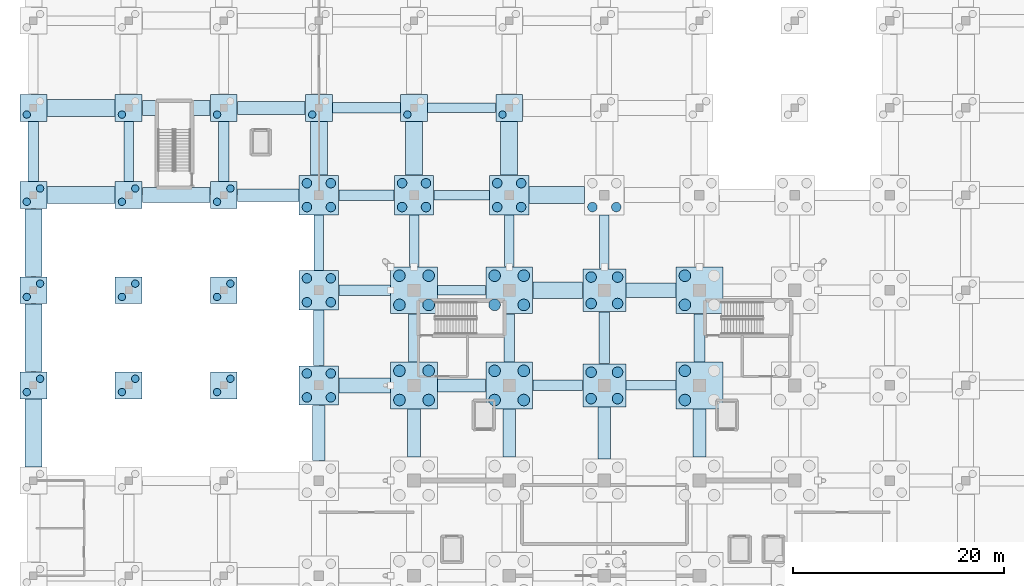
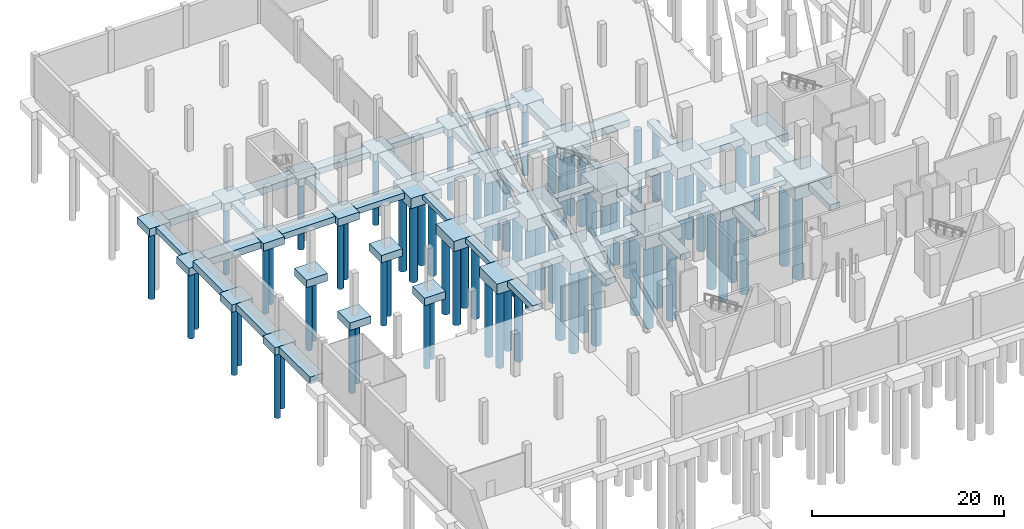
# One storey, part 5 of 42: 74 piles, 70 footings.
"""IFC4 building model written with IfcOpenShell, lengths in metres."""

from ifc_helpers import new_model, si_unit, direction, frame, origin, origin_2d, place, context, subcontext, project, spatial, rectangle, circle, extrude, material, material_profile, profile_set, type_object, element, save


model = new_model("IFC4")

# Units and contexts
model_context = context("Model", 3, precision=1e-05, world=origin(), true_north=direction((0.0, 1.0)))
body_context = subcontext(model_context, "Body", "Model", "MODEL_VIEW")
ifc_project = project(units=[si_unit("LENGTHUNIT", "METRE"), si_unit("AREAUNIT", "SQUARE_METRE"), si_unit("VOLUMEUNIT", "CUBIC_METRE"), si_unit("PLANEANGLEUNIT", "RADIAN"), si_unit("MASSUNIT", "GRAM", prefix="KILO")], contexts=[model_context])

# Site, building, storey
site_placement = place(None, origin())
site = spatial("IfcSite", under=ifc_project, at=site_placement, CompositionType="ELEMENT")
building_placement = place(site_placement, origin())
building = spatial("IfcBuilding", under=site, at=building_placement, Name="Sundgate Opera House", CompositionType="ELEMENT")
storey_placement = place(building_placement, frame((0.0, 0.0, -5.39990234375)))
storey = spatial("IfcBuildingStorey", under=building, at=storey_placement, Name="B01", CompositionType="ELEMENT", Elevation=-5.39990234375)

# Footings
ifc_material_1 = material(Name="Concrete C40/50", Category="concrete")
footing_type_1 = type_object("IfcFootingType", Name="FT-PC-2540x2540x950", PredefinedType="PILE_CAP", material=ifc_material_1)
for number, where, z_axis, x_axis, name in (
    (1, (0.0, 69.0, -0.9501953125), (0.0, 0.0, 1.0), (1.0, 0.0, 0.0), "Pile Cap F0009"),
    (2, (0.0, 78.0, -0.9501953125), (0.0, 0.0, 1.0), (1.0, 0.0, 0.0), "Pile Cap F0010"),
    (3, (0.0, 87.0, -1.75), (0.0, 0.0, 1.0), (1.0, 0.0, 0.0), "Pile Cap F0011"),
    (4, (0.0, 95.25, -1.75), (0.0, 0.0, 1.0), (1.0, 0.0, 0.0), "Pile Cap F0012"),
    (5, (9.0, 69.0, -0.9501953125), (0.0, 0.0, 1.0), (1.0, 0.0, 0.0), "Pile Cap F0024"),
    (6, (9.0, 78.0, -0.9501953125), (0.0, 0.0, 1.0), (1.0, 0.0, 0.0), "Pile Cap F0025"),
    (7, (9.0, 87.0, -1.75), (0.0, 0.0, 1.0), (1.0, 0.0, 0.0), "Pile Cap F0026"),
    (8, (9.0, 95.25, -1.75), (0.0, 0.0, 1.0), (1.0, 0.0, 0.0), "Pile Cap F0027"),
    (9, (18.0, 69.0, -0.9501953125), (0.0, 0.0, 1.0), (1.0, 0.0, 0.0), "Pile Cap F0038"),
    (10, (18.0, 78.0, -0.9501953125), (0.0, 0.0, 1.0), (1.0, 0.0, 0.0), "Pile Cap F0039"),
    (11, (18.0, 87.0, -1.75), (0.0, 0.0, 1.0), (1.0, 0.0, 0.0), "Pile Cap F0040"),
    (12, (18.0, 95.25, -1.75), (0.0, 0.0, 1.0), (1.0, 0.0, 0.0), "Pile Cap F0041"),
    (13, (27.0, 95.25, -1.75), (0.0, 0.0, 1.0), (1.0, 0.0, 0.0), "Pile Cap F0055"),
    (14, (36.0, 95.25, -1.75), (0.0, 0.0, 1.0), (1.0, 0.0, 0.0), "Pile Cap F0066"),
    (15, (45.0, 95.25, -1.75), (0.0, 0.0, 1.0), (1.0, 0.0, 0.0), "Pile Cap F0077"),
):
    element("IfcFooting", number, at=place(storey_placement, frame(where, z_axis=z_axis, x_axis=x_axis)), inside=storey, type_object=footing_type_1, Name=name, PredefinedType="PILE_CAP", context=body_context, shape_type="SweptSolid", body=[
        extrude(rectangle(XDim=2.5400390625, YDim=2.5400390625, at=origin_2d()), origin(), (0.0, 0.0, 1.0), 0.949951171875),
    ])
ifc_material_2 = material(Name="Concrete C40/50", Category="concrete")
footing_type_2 = type_object("IfcFootingType", Name="FT-PC-3720x3720x1300", PredefinedType="PILE_CAP", material=ifc_material_2)
for number, where, z_axis, x_axis, name in (
    (16, (27.0, 69.0, -2.10009765625), (0.0, 0.0, 1.0), (1.0, 0.0, 0.0), "Pile Cap F0052"),
    (17, (27.0, 78.0, -2.10009765625), (0.0, 0.0, 1.0), (1.0, 0.0, 0.0), "Pile Cap F0053"),
    (18, (27.0, 87.0, -2.10009765625), (0.0, 0.0, 1.0), (1.0, 0.0, 0.0), "Pile Cap F0054"),
    (19, (36.0, 87.0, -2.10009765625), (0.0, 0.0, 1.0), (1.0, 0.0, 0.0), "Pile Cap F0065"),
    (20, (45.0, 87.0, -2.10009765625), (0.0, 0.0, 1.0), (1.0, 0.0, 0.0), "Pile Cap F0076"),
):
    element("IfcFooting", number, at=place(storey_placement, frame(where, z_axis=z_axis, x_axis=x_axis)), inside=storey, type_object=footing_type_2, Name=name, PredefinedType="PILE_CAP", context=body_context, shape_type="SweptSolid", body=[
        extrude(rectangle(XDim=3.719970703125, YDim=3.719970703125, at=origin_2d()), origin(), (0.0, 0.0, 1.0), 1.300048828125),
    ])
ifc_material_3 = material(Name="Concrete C40/50", Category="concrete")
footing_type_3 = type_object("IfcFootingType", Name="FT-PC-4060x4060x1400", PredefinedType="PILE_CAP", material=ifc_material_3)
for number, where, z_axis, x_axis, name in (
    (21, (54.0, 69.0, -2.199951171875), (0.0, 0.0, 1.0), (1.0, 0.0, 0.0), "Pile Cap F0085"),
    (22, (54.0, 78.0, -2.199951171875), (0.0, 0.0, 1.0), (1.0, 0.0, 0.0), "Pile Cap F0086"),
):
    element("IfcFooting", number, at=place(storey_placement, frame(where, z_axis=z_axis, x_axis=x_axis)), inside=storey, type_object=footing_type_3, Name=name, PredefinedType="PILE_CAP", context=body_context, shape_type="SweptSolid", body=[
        extrude(rectangle(XDim=4.06005859375, YDim=4.06005859375, at=origin_2d()), origin(), (0.0, 0.0, 1.0), 1.39990234375),
    ])
ifc_material_4 = material(Name="Concrete C40/50", Category="concrete")
footing_type_4 = type_object("IfcFootingType", Name="FT-PC-4420x4420x1600", PredefinedType="PILE_CAP", material=ifc_material_4)
for number, where, z_axis, x_axis, name in (
    (23, (36.0, 69.0, -2.400146484375), (0.0, 0.0, 1.0), (1.0, 0.0, 0.0), "Pile Cap F0063"),
    (24, (36.0, 78.0, -2.400146484375), (0.0, 0.0, 1.0), (1.0, 0.0, 0.0), "Pile Cap F0064"),
    (25, (45.0, 69.0, -2.400146484375), (0.0, 0.0, 1.0), (1.0, 0.0, 0.0), "Pile Cap F0074"),
    (26, (45.0, 78.0, -2.400146484375), (0.0, 0.0, 1.0), (1.0, 0.0, 0.0), "Pile Cap F0075"),
    (27, (63.0, 69.0, -2.400146484375), (0.0, 0.0, 1.0), (1.0, 0.0, 0.0), "Pile Cap F0096"),
    (28, (63.0, 78.0, -2.400146484375), (0.0, 0.0, 1.0), (1.0, 0.0, 0.0), "Pile Cap F0097"),
):
    element("IfcFooting", number, at=place(storey_placement, frame(where, z_axis=z_axis, x_axis=x_axis)), inside=storey, type_object=footing_type_4, Name=name, PredefinedType="PILE_CAP", context=body_context, shape_type="SweptSolid", body=[
        extrude(rectangle(XDim=4.419921875, YDim=4.419921875, at=origin_2d()), origin(), (0.0, 0.0, 1.0), 1.60009765625),
    ])
ifc_material_5 = material(Name="Concrete C35/45", Category="concrete")
footing_type_5 = type_object("IfcFootingType", Name="FT-STR-1000x700", PredefinedType="STRIP_FOOTING", material=ifc_material_5)
for number, where, z_axis, x_axis, name in (
    (29, (0.0, 91.125, -1.5), (0.0, 0.0, 1.0), (1.0, 0.0, 0.0), "Strip Footing F0312"),
    (30, (18.0, 91.125, -1.5), (0.0, 0.0, 1.0), (1.0, 0.0, 0.0), "Strip Footing F0332"),
):
    element("IfcFooting", number, at=place(storey_placement, frame(where, z_axis=z_axis, x_axis=x_axis)), inside=storey, type_object=footing_type_5, Name=name, PredefinedType="STRIP_FOOTING", context=body_context, shape_type="SweptSolid", body=[
        extrude(rectangle(XDim=1.0, YDim=5.659912109375, at=origin_2d()), origin(), (0.0, 0.0, 1.0), 0.699951171875),
    ])
footing_1_placement = place(storey_placement, frame((27.0, 73.5, -1.5), z_axis=(0.0, 0.0, 1.0), x_axis=(1.0, 0.0, 0.0)))
element("IfcFooting", 31, at=footing_1_placement, inside=storey, type_object=footing_type_5, Name="Strip Footing F0342", PredefinedType="STRIP_FOOTING", context=body_context, shape_type="SweptSolid", body=[
    extrude(rectangle(XDim=1.0, YDim=5.22998046875, at=origin_2d()), origin(), (0.0, 0.0, 1.0), 0.699951171875),
])
for number, where, z_axis, x_axis, name in (
    (32, (36.0, 73.5, -1.5), (0.0, 0.0, 1.0), (1.0, 0.0, 0.0), "Strip Footing F0352"),
    (33, (45.0, 73.5, -1.5), (0.0, 0.0, 1.0), (1.0, 0.0, 0.0), "Strip Footing F0362"),
):
    element("IfcFooting", number, at=place(storey_placement, frame(where, z_axis=z_axis, x_axis=x_axis)), inside=storey, type_object=footing_type_5, Name=name, PredefinedType="STRIP_FOOTING", context=body_context, shape_type="SweptSolid", body=[
        extrude(rectangle(XDim=1.0, YDim=4.530029296875, at=origin_2d()), origin(), (0.0, 0.0, 1.0), 0.699951171875),
    ])
footing_2_placement = place(storey_placement, frame((54.0, 73.5, -1.5), z_axis=(0.0, 0.0, 1.0), x_axis=(1.0, 0.0, 0.0)))
element("IfcFooting", 34, at=footing_2_placement, inside=storey, type_object=footing_type_5, Name="Strip Footing F0372", PredefinedType="STRIP_FOOTING", context=body_context, shape_type="SweptSolid", body=[
    extrude(rectangle(XDim=1.0, YDim=4.889892578125, at=origin_2d()), origin(), (0.0, 0.0, 1.0), 0.699951171875),
])
footing_3_placement = place(storey_placement, frame((63.0, 73.5, -1.5), z_axis=(0.0, 0.0, 1.0), x_axis=(1.0, 0.0, 0.0)))
element("IfcFooting", 35, at=footing_3_placement, inside=storey, type_object=footing_type_5, Name="Strip Footing F0382", PredefinedType="STRIP_FOOTING", context=body_context, shape_type="SweptSolid", body=[
    extrude(rectangle(XDim=1.0, YDim=4.530029296875, at=origin_2d()), origin(), (0.0, 0.0, 1.0), 0.699951171875),
])
footing_4_placement = place(storey_placement, frame((49.590087890625, 69.0, -1.5), z_axis=(0.0, 0.0, 1.0), x_axis=(1.0, 0.0, 0.0)))
element("IfcFooting", 36, at=footing_4_placement, inside=storey, type_object=footing_type_5, Name="Strip Footing F0677", PredefinedType="STRIP_FOOTING", context=body_context, shape_type="SweptSolid", body=[
    extrude(rectangle(XDim=4.7099609375, YDim=1.0, at=origin_2d()), origin(), (0.0, 0.0, 1.0), 0.699951171875),
])
footing_5_placement = place(storey_placement, frame((31.324951171875, 78.0, -1.5), z_axis=(0.0, 0.0, 1.0), x_axis=(1.0, 0.0, 0.0)))
element("IfcFooting", 37, at=footing_5_placement, inside=storey, type_object=footing_type_5, Name="Strip Footing F0692", PredefinedType="STRIP_FOOTING", context=body_context, shape_type="SweptSolid", body=[
    extrude(rectangle(XDim=4.8798828125, YDim=1.0, at=origin_2d()), origin(), (0.0, 0.0, 1.0), 0.699951171875),
])
footing_6_placement = place(storey_placement, frame((31.5, 87.0, -1.5), z_axis=(0.0, 0.0, 1.0), x_axis=(1.0, 0.0, 0.0)))
element("IfcFooting", 38, at=footing_6_placement, inside=storey, type_object=footing_type_5, Name="Strip Footing F0712", PredefinedType="STRIP_FOOTING", context=body_context, shape_type="SweptSolid", body=[
    extrude(rectangle(XDim=5.22998046875, YDim=1.0, at=origin_2d()), origin(), (0.0, 0.0, 1.0), 0.699951171875),
])
footing_7_placement = place(storey_placement, frame((31.5, 95.25, -1.5), z_axis=(0.0, 0.0, 1.0), x_axis=(1.0, 0.0, 0.0)))
element("IfcFooting", 39, at=footing_7_placement, inside=storey, type_object=footing_type_5, Name="Strip Footing F0732", PredefinedType="STRIP_FOOTING", context=body_context, shape_type="SweptSolid", body=[
    extrude(rectangle(XDim=6.409912109375, YDim=1.0, at=origin_2d()), origin(), (0.0, 0.0, 1.0), 0.699951171875),
])
ifc_material_6 = material(Name="Concrete C35/45", Category="concrete")
footing_type_6 = type_object("IfcFootingType", Name="FT-STR-1200x750", PredefinedType="STRIP_FOOTING", material=ifc_material_6)
footing_8_placement = place(storey_placement, frame((27.0, 64.5, -1.550048828125), z_axis=(0.0, 0.0, 1.0), x_axis=(1.0, 0.0, 0.0)))
element("IfcFooting", 40, at=footing_8_placement, inside=storey, type_object=footing_type_6, Name="Strip Footing F0341", PredefinedType="STRIP_FOOTING", context=body_context, shape_type="SweptSolid", body=[
    extrude(rectangle(XDim=1.199951171875, YDim=5.22998046875, at=origin_2d()), origin(), (0.0, 0.0, 1.0), 0.75),
])
for number, where, z_axis, x_axis, name in (
    (41, (36.0, 64.5, -1.550048828125), (0.0, 0.0, 1.0), (1.0, 0.0, 0.0), "Strip Footing F0351"),
    (42, (45.0, 64.5, -1.550048828125), (0.0, 0.0, 1.0), (1.0, 0.0, 0.0), "Strip Footing F0361"),
):
    element("IfcFooting", number, at=place(storey_placement, frame(where, z_axis=z_axis, x_axis=x_axis)), inside=storey, type_object=footing_type_6, Name=name, PredefinedType="STRIP_FOOTING", context=body_context, shape_type="SweptSolid", body=[
        extrude(rectangle(XDim=1.199951171875, YDim=4.530029296875, at=origin_2d()), origin(), (0.0, 0.0, 1.0), 0.75),
    ])
footing_9_placement = place(storey_placement, frame((54.0, 64.5, -1.550048828125), z_axis=(0.0, 0.0, 1.0), x_axis=(1.0, 0.0, 0.0)))
element("IfcFooting", 43, at=footing_9_placement, inside=storey, type_object=footing_type_6, Name="Strip Footing F0371", PredefinedType="STRIP_FOOTING", context=body_context, shape_type="SweptSolid", body=[
    extrude(rectangle(XDim=1.199951171875, YDim=4.889892578125, at=origin_2d()), origin(), (0.0, 0.0, 1.0), 0.75),
])
footing_10_placement = place(storey_placement, frame((63.0, 64.5, -1.550048828125), z_axis=(0.0, 0.0, 1.0), x_axis=(1.0, 0.0, 0.0)))
element("IfcFooting", 44, at=footing_10_placement, inside=storey, type_object=footing_type_6, Name="Strip Footing F0381", PredefinedType="STRIP_FOOTING", context=body_context, shape_type="SweptSolid", body=[
    extrude(rectangle(XDim=1.199951171875, YDim=4.530029296875, at=origin_2d()), origin(), (0.0, 0.0, 1.0), 0.75),
])
footing_11_placement = place(storey_placement, frame((40.5, 69.0, -1.550048828125), z_axis=(0.0, 0.0, 1.0), x_axis=(1.0, 0.0, 0.0)))
element("IfcFooting", 45, at=footing_11_placement, inside=storey, type_object=footing_type_6, Name="Strip Footing F0676", PredefinedType="STRIP_FOOTING", context=body_context, shape_type="SweptSolid", body=[
    extrude(rectangle(XDim=4.530029296875, YDim=1.199951171875, at=origin_2d()), origin(), (0.0, 0.0, 1.0), 0.75),
])
footing_12_placement = place(storey_placement, frame((22.205078125, 87.0, -1.550048828125), z_axis=(0.0, 0.0, 1.0), x_axis=(1.0, 0.0, 0.0)))
element("IfcFooting", 46, at=footing_12_placement, inside=storey, type_object=footing_type_6, Name="Strip Footing F0711", PredefinedType="STRIP_FOOTING", context=body_context, shape_type="SweptSolid", body=[
    extrude(rectangle(XDim=5.820068359375, YDim=1.199951171875, at=origin_2d()), origin(), (0.0, 0.0, 1.0), 0.75),
])
footing_13_placement = place(storey_placement, frame((22.5, 95.25, -1.550048828125), z_axis=(0.0, 0.0, 1.0), x_axis=(1.0, 0.0, 0.0)))
element("IfcFooting", 47, at=footing_13_placement, inside=storey, type_object=footing_type_6, Name="Strip Footing F0731", PredefinedType="STRIP_FOOTING", context=body_context, shape_type="SweptSolid", body=[
    extrude(rectangle(XDim=6.409912109375, YDim=1.199951171875, at=origin_2d()), origin(), (0.0, 0.0, 1.0), 0.75),
])
ifc_material_7 = material(Name="Concrete C35/45", Category="concrete")
footing_type_7 = type_object("IfcFootingType", Name="FT-STR-1400x800", PredefinedType="STRIP_FOOTING", material=ifc_material_7)
footing_14_placement = place(storey_placement, frame((31.324951171875, 69.0, -1.60009765625), z_axis=(0.0, 0.0, 1.0), x_axis=(1.0, 0.0, 0.0)))
element("IfcFooting", 48, at=footing_14_placement, inside=storey, type_object=footing_type_7, Name="Strip Footing F0675", PredefinedType="STRIP_FOOTING", context=body_context, shape_type="SweptSolid", body=[
    extrude(rectangle(XDim=4.8798828125, YDim=1.39990234375, at=origin_2d()), origin(), (0.0, 0.0, 1.0), 0.800048828125),
])
footing_15_placement = place(storey_placement, frame((58.409912109375, 78.0, -1.60009765625), z_axis=(0.0, 0.0, 1.0), x_axis=(1.0, 0.0, 0.0)))
element("IfcFooting", 49, at=footing_15_placement, inside=storey, type_object=footing_type_7, Name="Strip Footing F0695", PredefinedType="STRIP_FOOTING", context=body_context, shape_type="SweptSolid", body=[
    extrude(rectangle(XDim=4.7099609375, YDim=1.39990234375, at=origin_2d()), origin(), (0.0, 0.0, 1.0), 0.800048828125),
])
for number, where, z_axis, x_axis, name in (
    (50, (13.5, 87.0, -1.60009765625), (0.0, 0.0, 1.0), (1.0, 0.0, 0.0), "Strip Footing F0710"),
    (51, (13.5, 95.25, -1.60009765625), (0.0, 0.0, 1.0), (1.0, 0.0, 0.0), "Strip Footing F0730"),
):
    element("IfcFooting", number, at=place(storey_placement, frame(where, z_axis=z_axis, x_axis=x_axis)), inside=storey, type_object=footing_type_7, Name=name, PredefinedType="STRIP_FOOTING", context=body_context, shape_type="SweptSolid", body=[
        extrude(rectangle(XDim=6.409912109375, YDim=1.39990234375, at=origin_2d()), origin(), (0.0, 0.0, 1.0), 0.800048828125),
    ])
ifc_material_8 = material(Name="Concrete C35/45", Category="concrete")
footing_type_8 = type_object("IfcFootingType", Name="FT-STR-1600x900", PredefinedType="STRIP_FOOTING", material=ifc_material_8)
for number, where, z_axis, x_axis, name in (
    (52, (27.0, 91.419921875, -1.699951171875), (0.0, 0.0, 1.0), (1.0, 0.0, 0.0), "Strip Footing F0344"),
    (53, (36.0, 91.419921875, -1.699951171875), (0.0, 0.0, 1.0), (1.0, 0.0, 0.0), "Strip Footing F0354"),
    (54, (45.0, 91.419921875, -1.699951171875), (0.0, 0.0, 1.0), (1.0, 0.0, 0.0), "Strip Footing F0364"),
):
    element("IfcFooting", number, at=place(storey_placement, frame(where, z_axis=z_axis, x_axis=x_axis)), inside=storey, type_object=footing_type_8, Name=name, PredefinedType="STRIP_FOOTING", context=body_context, shape_type="SweptSolid", body=[
        extrude(rectangle(XDim=1.60009765625, YDim=5.070068359375, at=origin_2d()), origin(), (0.0, 0.0, 1.0), 0.89990234375),
    ])
footing_16_placement = place(storey_placement, frame((49.590087890625, 78.0, -1.699951171875), z_axis=(0.0, 0.0, 1.0), x_axis=(1.0, 0.0, 0.0)))
element("IfcFooting", 55, at=footing_16_placement, inside=storey, type_object=footing_type_8, Name="Strip Footing F0694", PredefinedType="STRIP_FOOTING", context=body_context, shape_type="SweptSolid", body=[
    extrude(rectangle(XDim=4.7099609375, YDim=1.60009765625, at=origin_2d()), origin(), (0.0, 0.0, 1.0), 0.89990234375),
])
footing_17_placement = place(storey_placement, frame((4.5, 87.0, -1.699951171875), z_axis=(0.0, 0.0, 1.0), x_axis=(1.0, 0.0, 0.0)))
element("IfcFooting", 56, at=footing_17_placement, inside=storey, type_object=footing_type_8, Name="Strip Footing F0709", PredefinedType="STRIP_FOOTING", context=body_context, shape_type="SweptSolid", body=[
    extrude(rectangle(XDim=6.409912109375, YDim=1.60009765625, at=origin_2d()), origin(), (0.0, 0.0, 1.0), 0.89990234375),
])
footing_18_placement = place(storey_placement, frame((49.5, 87.0, -1.699951171875), z_axis=(0.0, 0.0, 1.0), x_axis=(1.0, 0.0, 0.0)))
element("IfcFooting", 57, at=footing_18_placement, inside=storey, type_object=footing_type_8, Name="Strip Footing F0714", PredefinedType="STRIP_FOOTING", context=body_context, shape_type="SweptSolid", body=[
    extrude(rectangle(XDim=5.22998046875, YDim=1.60009765625, at=origin_2d()), origin(), (0.0, 0.0, 1.0), 0.89990234375),
])
footing_19_placement = place(storey_placement, frame((4.5, 95.25, -1.699951171875), z_axis=(0.0, 0.0, 1.0), x_axis=(1.0, 0.0, 0.0)))
element("IfcFooting", 58, at=footing_19_placement, inside=storey, type_object=footing_type_8, Name="Strip Footing F0729", PredefinedType="STRIP_FOOTING", context=body_context, shape_type="SweptSolid", body=[
    extrude(rectangle(XDim=6.409912109375, YDim=1.60009765625, at=origin_2d()), origin(), (0.0, 0.0, 1.0), 0.89990234375),
])
for number, where, z_axis, x_axis, name in (
    (59, (0.0, 64.5, -0.900146484375), (0.0, 0.0, 1.0), (1.0, 0.0, 0.0), "Retaining Wall Strip Footing F0800"),
    (60, (0.0, 73.5, -0.900146484375), (0.0, 0.0, 1.0), (1.0, 0.0, 0.0), "Retaining Wall Strip Footing F0801"),
    (61, (0.0, 82.5, -0.900146484375), (0.0, 0.0, 1.0), (1.0, 0.0, 0.0), "Retaining Wall Strip Footing F0802"),
):
    element("IfcFooting", number, at=place(storey_placement, frame(where, z_axis=z_axis, x_axis=x_axis)), inside=storey, type_object=footing_type_8, Name=name, PredefinedType="STRIP_FOOTING", context=body_context, shape_type="SweptSolid", body=[
        extrude(rectangle(XDim=1.60009765625, YDim=6.409912109375, at=origin_2d()), origin(), (0.0, 0.0, 1.0), 0.89990234375),
    ])
ifc_material_9 = material(Name="Concrete C35/45", Category="concrete")
footing_type_9 = type_object("IfcFootingType", Name="FT-STR-900x600", PredefinedType="STRIP_FOOTING", material=ifc_material_9)
footing_20_placement = place(storey_placement, frame((9.0, 91.125, -1.400146484375), z_axis=(0.0, 0.0, 1.0), x_axis=(1.0, 0.0, 0.0)))
element("IfcFooting", 62, at=footing_20_placement, inside=storey, type_object=footing_type_9, Name="Strip Footing F0323", PredefinedType="STRIP_FOOTING", context=body_context, shape_type="SweptSolid", body=[
    extrude(rectangle(XDim=0.89990234375, YDim=5.659912109375, at=origin_2d()), origin(), (0.0, 0.0, 1.0), 0.60009765625),
])
footing_21_placement = place(storey_placement, frame((27.0, 82.5, -1.400146484375), z_axis=(0.0, 0.0, 1.0), x_axis=(1.0, 0.0, 0.0)))
element("IfcFooting", 63, at=footing_21_placement, inside=storey, type_object=footing_type_9, Name="Strip Footing F0343", PredefinedType="STRIP_FOOTING", context=body_context, shape_type="SweptSolid", body=[
    extrude(rectangle(XDim=0.89990234375, YDim=5.22998046875, at=origin_2d()), origin(), (0.0, 0.0, 1.0), 0.60009765625),
])
for number, where, z_axis, x_axis, name in (
    (64, (36.0, 82.675048828125, -1.400146484375), (0.0, 0.0, 1.0), (1.0, 0.0, 0.0), "Strip Footing F0353"),
    (65, (45.0, 82.675048828125, -1.400146484375), (0.0, 0.0, 1.0), (1.0, 0.0, 0.0), "Strip Footing F0363"),
):
    element("IfcFooting", number, at=place(storey_placement, frame(where, z_axis=z_axis, x_axis=x_axis)), inside=storey, type_object=footing_type_9, Name=name, PredefinedType="STRIP_FOOTING", context=body_context, shape_type="SweptSolid", body=[
        extrude(rectangle(XDim=0.89990234375, YDim=4.8798828125, at=origin_2d()), origin(), (0.0, 0.0, 1.0), 0.60009765625),
    ])
footing_22_placement = place(storey_placement, frame((54.0, 82.5849609375, -1.400146484375), z_axis=(0.0, 0.0, 1.0), x_axis=(1.0, 0.0, 0.0)))
element("IfcFooting", 66, at=footing_22_placement, inside=storey, type_object=footing_type_9, Name="Strip Footing F0373", PredefinedType="STRIP_FOOTING", context=body_context, shape_type="SweptSolid", body=[
    extrude(rectangle(XDim=0.89990234375, YDim=5.06005859375, at=origin_2d()), origin(), (0.0, 0.0, 1.0), 0.60009765625),
])
footing_23_placement = place(storey_placement, frame((58.409912109375, 69.0, -1.400146484375), z_axis=(0.0, 0.0, 1.0), x_axis=(1.0, 0.0, 0.0)))
element("IfcFooting", 67, at=footing_23_placement, inside=storey, type_object=footing_type_9, Name="Strip Footing F0678", PredefinedType="STRIP_FOOTING", context=body_context, shape_type="SweptSolid", body=[
    extrude(rectangle(XDim=4.7099609375, YDim=0.89990234375, at=origin_2d()), origin(), (0.0, 0.0, 1.0), 0.60009765625),
])
footing_24_placement = place(storey_placement, frame((40.5, 78.0, -1.400146484375), z_axis=(0.0, 0.0, 1.0), x_axis=(1.0, 0.0, 0.0)))
element("IfcFooting", 68, at=footing_24_placement, inside=storey, type_object=footing_type_9, Name="Strip Footing F0693", PredefinedType="STRIP_FOOTING", context=body_context, shape_type="SweptSolid", body=[
    extrude(rectangle(XDim=4.530029296875, YDim=0.89990234375, at=origin_2d()), origin(), (0.0, 0.0, 1.0), 0.60009765625),
])
footing_25_placement = place(storey_placement, frame((40.5, 87.0, -1.400146484375), z_axis=(0.0, 0.0, 1.0), x_axis=(1.0, 0.0, 0.0)))
element("IfcFooting", 69, at=footing_25_placement, inside=storey, type_object=footing_type_9, Name="Strip Footing F0713", PredefinedType="STRIP_FOOTING", context=body_context, shape_type="SweptSolid", body=[
    extrude(rectangle(XDim=5.22998046875, YDim=0.89990234375, at=origin_2d()), origin(), (0.0, 0.0, 1.0), 0.60009765625),
])
footing_26_placement = place(storey_placement, frame((40.5, 95.25, -1.400146484375), z_axis=(0.0, 0.0, 1.0), x_axis=(1.0, 0.0, 0.0)))
element("IfcFooting", 70, at=footing_26_placement, inside=storey, type_object=footing_type_9, Name="Strip Footing F0733", PredefinedType="STRIP_FOOTING", context=body_context, shape_type="SweptSolid", body=[
    extrude(rectangle(XDim=6.409912109375, YDim=0.89990234375, at=origin_2d()), origin(), (0.0, 0.0, 1.0), 0.60009765625),
])

# Piles
ifc_material_10 = material(Name="Concrete C40/50", Category="concrete")
ifc_material_profile_1 = material_profile(ifc_material_10, circle(Radius=0.5, at=origin_2d()), Name="PILE D1000")
ifc_profile_set_1 = profile_set([ifc_material_profile_1], Name="Concrete C40/50")
pile_type_1 = type_object("IfcPileType", Name="PL-1000", PredefinedType="BORED", material=ifc_profile_set_1)
for number, where, z_axis, x_axis, name in (
    (71, (52.75, 67.75, -2.10009765625), (0.0, 0.0, -1.0), (1.0, 0.0, 0.0), "Rock-Socketed Pile P0219"),
    (72, (52.75, 70.25, -2.10009765625), (0.0, 0.0, -1.0), (1.0, 0.0, 0.0), "Rock-Socketed Pile P0220"),
    (73, (55.25, 67.75, -2.10009765625), (0.0, 0.0, -1.0), (1.0, 0.0, 0.0), "Rock-Socketed Pile P0221"),
    (74, (55.25, 70.25, -2.10009765625), (0.0, 0.0, -1.0), (1.0, 0.0, 0.0), "Rock-Socketed Pile P0222"),
    (75, (52.75, 76.75, -2.10009765625), (0.0, 0.0, -1.0), (1.0, 0.0, 0.0), "Rock-Socketed Pile P0223"),
    (76, (52.75, 79.25, -2.10009765625), (0.0, 0.0, -1.0), (1.0, 0.0, 0.0), "Rock-Socketed Pile P0224"),
    (77, (55.25, 76.75, -2.10009765625), (0.0, 0.0, -1.0), (1.0, 0.0, 0.0), "Rock-Socketed Pile P0225"),
    (78, (55.25, 79.25, -2.10009765625), (0.0, 0.0, -1.0), (1.0, 0.0, 0.0), "Rock-Socketed Pile P0226"),
):
    element("IfcPile", number, at=place(storey_placement, frame(where, z_axis=z_axis, x_axis=x_axis)), inside=storey, type_object=pile_type_1, Name=name, PredefinedType="BORED", context=body_context, shape_type="SweptSolid", body=[
        extrude(circle(Radius=0.5, at=origin_2d()), origin(), (0.0, 0.0, 1.0), 10.60009765625),
    ])
ifc_material_11 = material(Name="Concrete C40/50", Category="concrete")
ifc_material_profile_2 = material_profile(ifc_material_11, circle(Radius=0.550048828125, at=origin_2d()), Name="PILE D1100")
ifc_profile_set_2 = profile_set([ifc_material_profile_2], Name="Concrete C40/50")
pile_type_2 = type_object("IfcPileType", Name="PL-1100", PredefinedType="BORED", material=ifc_profile_set_2)
for number, where, z_axis, x_axis, name in (
    (79, (34.6201171875, 67.6201171875, -2.300048828125), (0.0, 0.0, -1.0), (1.0, 0.0, 0.0), "Rock-Socketed Pile P0147"),
    (80, (34.6201171875, 70.3798828125, -2.300048828125), (0.0, 0.0, -1.0), (1.0, 0.0, 0.0), "Rock-Socketed Pile P0148"),
    (81, (37.3798828125, 67.6201171875, -2.300048828125), (0.0, 0.0, -1.0), (1.0, 0.0, 0.0), "Rock-Socketed Pile P0149"),
    (82, (37.3798828125, 70.3798828125, -2.300048828125), (0.0, 0.0, -1.0), (1.0, 0.0, 0.0), "Rock-Socketed Pile P0150"),
    (83, (34.6201171875, 76.6201171875, -2.300048828125), (0.0, 0.0, -1.0), (1.0, 0.0, 0.0), "Rock-Socketed Pile P0151"),
    (84, (34.6201171875, 79.3798828125, -2.300048828125), (0.0, 0.0, -1.0), (1.0, 0.0, 0.0), "Rock-Socketed Pile P0152"),
    (85, (37.3798828125, 76.6201171875, -2.300048828125), (0.0, 0.0, -1.0), (1.0, 0.0, 0.0), "Rock-Socketed Pile P0153"),
    (86, (37.3798828125, 79.3798828125, -2.300048828125), (0.0, 0.0, -1.0), (1.0, 0.0, 0.0), "Rock-Socketed Pile P0154"),
    (87, (43.6201171875, 67.6201171875, -2.300048828125), (0.0, 0.0, -1.0), (1.0, 0.0, 0.0), "Rock-Socketed Pile P0183"),
    (88, (43.6201171875, 70.3798828125, -2.300048828125), (0.0, 0.0, -1.0), (1.0, 0.0, 0.0), "Rock-Socketed Pile P0184"),
    (89, (46.3798828125, 67.6201171875, -2.300048828125), (0.0, 0.0, -1.0), (1.0, 0.0, 0.0), "Rock-Socketed Pile P0185"),
    (90, (46.3798828125, 70.3798828125, -2.300048828125), (0.0, 0.0, -1.0), (1.0, 0.0, 0.0), "Rock-Socketed Pile P0186"),
    (91, (43.6201171875, 76.6201171875, -2.300048828125), (0.0, 0.0, -1.0), (1.0, 0.0, 0.0), "Rock-Socketed Pile P0187"),
    (92, (43.6201171875, 79.3798828125, -2.300048828125), (0.0, 0.0, -1.0), (1.0, 0.0, 0.0), "Rock-Socketed Pile P0188"),
    (93, (46.3798828125, 76.6201171875, -2.300048828125), (0.0, 0.0, -1.0), (1.0, 0.0, 0.0), "Rock-Socketed Pile P0189"),
    (94, (46.3798828125, 79.3798828125, -2.300048828125), (0.0, 0.0, -1.0), (1.0, 0.0, 0.0), "Rock-Socketed Pile P0190"),
    (95, (61.6201171875, 67.6201171875, -2.300048828125), (0.0, 0.0, -1.0), (1.0, 0.0, 0.0), "Rock-Socketed Pile P0255"),
    (96, (61.6201171875, 70.3798828125, -2.300048828125), (0.0, 0.0, -1.0), (1.0, 0.0, 0.0), "Rock-Socketed Pile P0256"),
    (97, (61.6201171875, 76.6201171875, -2.300048828125), (0.0, 0.0, -1.0), (1.0, 0.0, 0.0), "Rock-Socketed Pile P0259"),
    (98, (61.6201171875, 79.3798828125, -2.300048828125), (0.0, 0.0, -1.0), (1.0, 0.0, 0.0), "Rock-Socketed Pile P0260"),
):
    element("IfcPile", number, at=place(storey_placement, frame(where, z_axis=z_axis, x_axis=x_axis)), inside=storey, type_object=pile_type_2, Name=name, PredefinedType="BORED", context=body_context, shape_type="SweptSolid", body=[
        extrude(circle(Radius=0.550048828125, at=origin_2d()), origin(), (0.0, 0.0, 1.0), 10.60009765625),
    ])
ifc_material_12 = material(Name="Concrete C40/50", Category="concrete")
ifc_material_profile_3 = material_profile(ifc_material_12, circle(Radius=0.35009765625, at=origin_2d()), Name="PILE D700")
ifc_profile_set_3 = profile_set([ifc_material_profile_3], Name="Concrete C40/50")
pile_type_3 = type_object("IfcPileType", Name="PL-700", PredefinedType="BORED", material=ifc_profile_set_3)
for number, where, z_axis, x_axis, name in (
    (99, (-0.6298828125, 68.3701171875, -0.85009765625), (0.0, 0.0, -1.0), (1.0, 0.0, 0.0), "Rock-Socketed Pile P0017"),
    (100, (0.6298828125, 69.6298828125, -0.85009765625), (0.0, 0.0, -1.0), (1.0, 0.0, 0.0), "Rock-Socketed Pile P0018"),
    (101, (-0.6298828125, 77.3701171875, -0.85009765625), (0.0, 0.0, -1.0), (1.0, 0.0, 0.0), "Rock-Socketed Pile P0019"),
    (102, (0.6298828125, 78.6298828125, -0.85009765625), (0.0, 0.0, -1.0), (1.0, 0.0, 0.0), "Rock-Socketed Pile P0020"),
    (103, (-0.6298828125, 86.3701171875, -1.650146484375), (0.0, 0.0, -1.0), (1.0, 0.0, 0.0), "Rock-Socketed Pile P0021"),
    (104, (0.6298828125, 87.6298828125, -1.650146484375), (0.0, 0.0, -1.0), (1.0, 0.0, 0.0), "Rock-Socketed Pile P0022"),
    (105, (-0.6298828125, 94.6201171875, -1.650146484375), (0.0, 0.0, -1.0), (1.0, 0.0, 0.0), "Rock-Socketed Pile P0023"),
    (106, (8.3701171875, 68.3701171875, -0.85009765625), (0.0, 0.0, -1.0), (1.0, 0.0, 0.0), "Rock-Socketed Pile P0047"),
    (107, (9.6298828125, 69.6298828125, -0.85009765625), (0.0, 0.0, -1.0), (1.0, 0.0, 0.0), "Rock-Socketed Pile P0048"),
    (108, (8.3701171875, 77.3701171875, -0.85009765625), (0.0, 0.0, -1.0), (1.0, 0.0, 0.0), "Rock-Socketed Pile P0049"),
    (109, (9.6298828125, 78.6298828125, -0.85009765625), (0.0, 0.0, -1.0), (1.0, 0.0, 0.0), "Rock-Socketed Pile P0050"),
    (110, (8.3701171875, 86.3701171875, -1.650146484375), (0.0, 0.0, -1.0), (1.0, 0.0, 0.0), "Rock-Socketed Pile P0051"),
    (111, (9.6298828125, 87.6298828125, -1.650146484375), (0.0, 0.0, -1.0), (1.0, 0.0, 0.0), "Rock-Socketed Pile P0052"),
    (112, (8.3701171875, 94.6201171875, -1.650146484375), (0.0, 0.0, -1.0), (1.0, 0.0, 0.0), "Rock-Socketed Pile P0053"),
    (113, (17.3701171875, 68.3701171875, -0.85009765625), (0.0, 0.0, -1.0), (1.0, 0.0, 0.0), "Rock-Socketed Pile P0075"),
    (114, (18.6298828125, 69.6298828125, -0.85009765625), (0.0, 0.0, -1.0), (1.0, 0.0, 0.0), "Rock-Socketed Pile P0076"),
    (115, (17.3701171875, 77.3701171875, -0.85009765625), (0.0, 0.0, -1.0), (1.0, 0.0, 0.0), "Rock-Socketed Pile P0077"),
    (116, (18.6298828125, 78.6298828125, -0.85009765625), (0.0, 0.0, -1.0), (1.0, 0.0, 0.0), "Rock-Socketed Pile P0078"),
    (117, (17.3701171875, 86.3701171875, -1.650146484375), (0.0, 0.0, -1.0), (1.0, 0.0, 0.0), "Rock-Socketed Pile P0079"),
    (118, (18.6298828125, 87.6298828125, -1.650146484375), (0.0, 0.0, -1.0), (1.0, 0.0, 0.0), "Rock-Socketed Pile P0080"),
    (119, (17.3701171875, 94.6201171875, -1.650146484375), (0.0, 0.0, -1.0), (1.0, 0.0, 0.0), "Rock-Socketed Pile P0081"),
    (120, (26.3701171875, 94.6201171875, -1.650146484375), (0.0, 0.0, -1.0), (1.0, 0.0, 0.0), "Rock-Socketed Pile P0123"),
    (121, (35.3701171875, 94.6201171875, -1.650146484375), (0.0, 0.0, -1.0), (1.0, 0.0, 0.0), "Rock-Socketed Pile P0159"),
    (122, (44.3701171875, 94.6201171875, -1.650146484375), (0.0, 0.0, -1.0), (1.0, 0.0, 0.0), "Rock-Socketed Pile P0195"),
):
    element("IfcPile", number, at=place(storey_placement, frame(where, z_axis=z_axis, x_axis=x_axis)), inside=storey, type_object=pile_type_3, Name=name, PredefinedType="BORED", context=body_context, shape_type="SweptSolid", body=[
        extrude(circle(Radius=0.35009765625, at=origin_2d()), origin(), (0.0, 0.0, 1.0), 8.5),
    ])
ifc_material_13 = material(Name="Concrete C40/50", Category="concrete")
ifc_material_profile_4 = material_profile(ifc_material_13, circle(Radius=0.449951171875, at=origin_2d()), Name="PILE D900")
ifc_profile_set_4 = profile_set([ifc_material_profile_4], Name="Concrete C40/50")
pile_type_4 = type_object("IfcPileType", Name="PL-900", PredefinedType="BORED", material=ifc_profile_set_4)
for number, where, z_axis, x_axis, name in (
    (123, (25.8701171875, 67.8701171875, -2.0), (0.0, 0.0, -1.0), (1.0, 0.0, 0.0), "Rock-Socketed Pile P0111"),
    (124, (25.8701171875, 70.1298828125, -2.0), (0.0, 0.0, -1.0), (1.0, 0.0, 0.0), "Rock-Socketed Pile P0112"),
    (125, (28.1298828125, 67.8701171875, -2.0), (0.0, 0.0, -1.0), (1.0, 0.0, 0.0), "Rock-Socketed Pile P0113"),
    (126, (28.1298828125, 70.1298828125, -2.0), (0.0, 0.0, -1.0), (1.0, 0.0, 0.0), "Rock-Socketed Pile P0114"),
    (127, (25.8701171875, 76.8701171875, -2.0), (0.0, 0.0, -1.0), (1.0, 0.0, 0.0), "Rock-Socketed Pile P0115"),
    (128, (25.8701171875, 79.1298828125, -2.0), (0.0, 0.0, -1.0), (1.0, 0.0, 0.0), "Rock-Socketed Pile P0116"),
    (129, (28.1298828125, 76.8701171875, -2.0), (0.0, 0.0, -1.0), (1.0, 0.0, 0.0), "Rock-Socketed Pile P0117"),
    (130, (28.1298828125, 79.1298828125, -2.0), (0.0, 0.0, -1.0), (1.0, 0.0, 0.0), "Rock-Socketed Pile P0118"),
    (131, (25.8701171875, 85.8701171875, -2.0), (0.0, 0.0, -1.0), (1.0, 0.0, 0.0), "Rock-Socketed Pile P0119"),
    (132, (25.8701171875, 88.1298828125, -2.0), (0.0, 0.0, -1.0), (1.0, 0.0, 0.0), "Rock-Socketed Pile P0120"),
    (133, (28.1298828125, 85.8701171875, -2.0), (0.0, 0.0, -1.0), (1.0, 0.0, 0.0), "Rock-Socketed Pile P0121"),
    (134, (28.1298828125, 88.1298828125, -2.0), (0.0, 0.0, -1.0), (1.0, 0.0, 0.0), "Rock-Socketed Pile P0122"),
    (135, (34.8701171875, 85.8701171875, -2.0), (0.0, 0.0, -1.0), (1.0, 0.0, 0.0), "Rock-Socketed Pile P0155"),
    (136, (34.8701171875, 88.1298828125, -2.0), (0.0, 0.0, -1.0), (1.0, 0.0, 0.0), "Rock-Socketed Pile P0156"),
    (137, (37.1298828125, 85.8701171875, -2.0), (0.0, 0.0, -1.0), (1.0, 0.0, 0.0), "Rock-Socketed Pile P0157"),
    (138, (37.1298828125, 88.1298828125, -2.0), (0.0, 0.0, -1.0), (1.0, 0.0, 0.0), "Rock-Socketed Pile P0158"),
    (139, (43.8701171875, 85.8701171875, -2.0), (0.0, 0.0, -1.0), (1.0, 0.0, 0.0), "Rock-Socketed Pile P0191"),
    (140, (43.8701171875, 88.1298828125, -2.0), (0.0, 0.0, -1.0), (1.0, 0.0, 0.0), "Rock-Socketed Pile P0192"),
    (141, (46.1298828125, 85.8701171875, -2.0), (0.0, 0.0, -1.0), (1.0, 0.0, 0.0), "Rock-Socketed Pile P0193"),
    (142, (46.1298828125, 88.1298828125, -2.0), (0.0, 0.0, -1.0), (1.0, 0.0, 0.0), "Rock-Socketed Pile P0194"),
    (143, (52.8701171875, 85.8701171875, -2.0), (0.0, 0.0, -1.0), (1.0, 0.0, 0.0), "Rock-Socketed Pile P0227"),
    (144, (55.1298828125, 85.8701171875, -2.0), (0.0, 0.0, -1.0), (1.0, 0.0, 0.0), "Rock-Socketed Pile P0229"),
):
    element("IfcPile", number, at=place(storey_placement, frame(where, z_axis=z_axis, x_axis=x_axis)), inside=storey, type_object=pile_type_4, Name=name, PredefinedType="BORED", context=body_context, shape_type="SweptSolid", body=[
        extrude(circle(Radius=0.449951171875, at=origin_2d()), origin(), (0.0, 0.0, 1.0), 9.89990234375),
    ])

save(model, "model.ifc")
